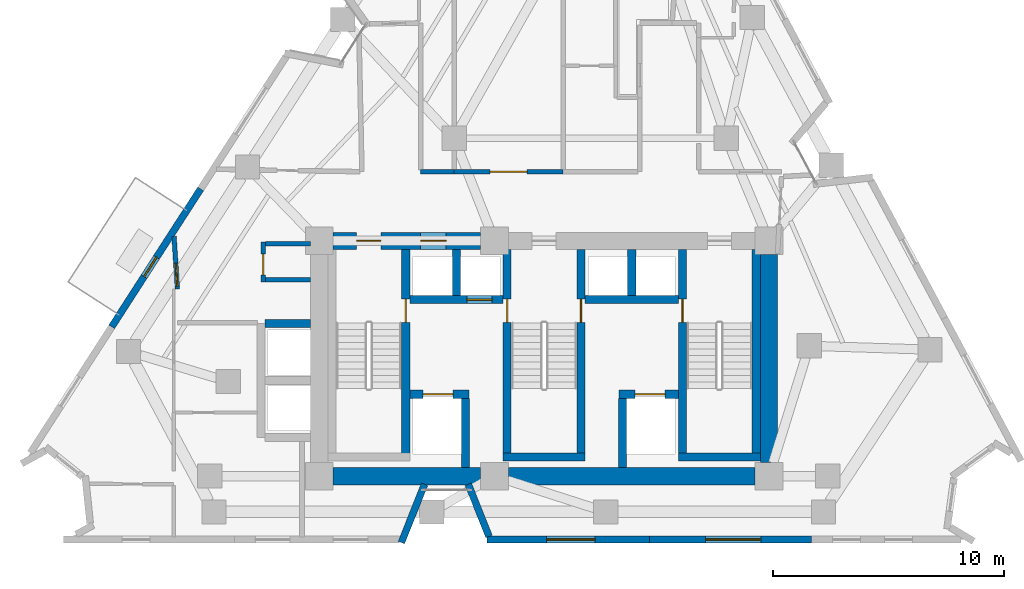
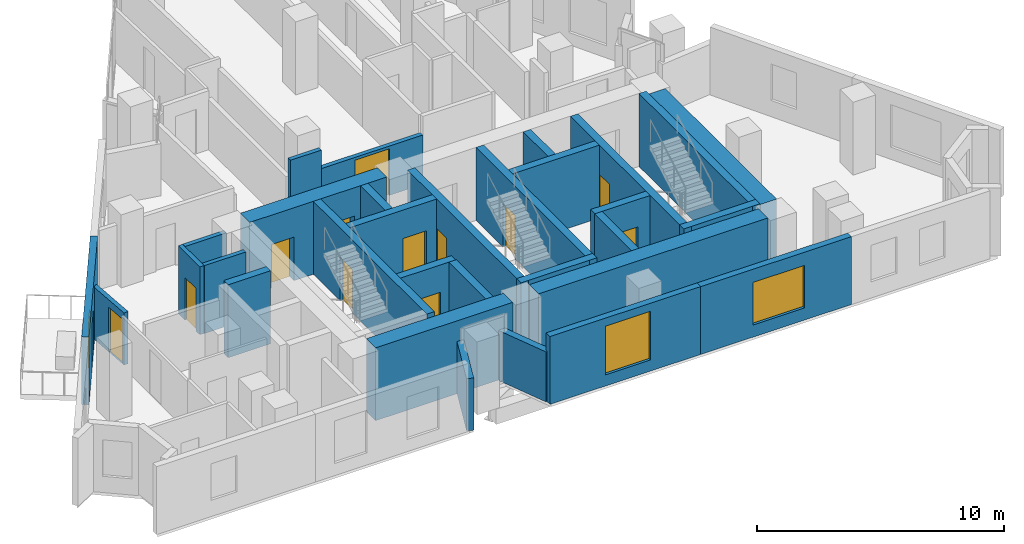
# One storey, part 6 of 11: 31 walls, 13 doors, 2 windows, 15 openings.
"""IFC4 building model written with IfcOpenShell, lengths in metres."""

from ifc_helpers import new_model, si_unit, direction, frame, frame_2d, origin, place, context, subcontext, project, spatial, rectangle, extrude, material, layer, layer_set, type_object, element, fill, save


model = new_model("IFC4")

# Units and contexts
model_context = context("Model", 3, precision=1e-05, world=origin(), true_north=direction((0.0, 1.0)))
body_context = subcontext(model_context, "Body", "Model", "MODEL_VIEW")
ifc_project = project(units=[si_unit("LENGTHUNIT", "METRE"), si_unit("AREAUNIT", "SQUARE_METRE"), si_unit("VOLUMEUNIT", "CUBIC_METRE"), si_unit("PLANEANGLEUNIT", "RADIAN"), si_unit("MASSUNIT", "GRAM", prefix="KILO")], contexts=[model_context])

# Site, building, storey
site_placement = place(None, origin())
site = spatial("IfcSite", under=ifc_project, at=site_placement, CompositionType="ELEMENT")
building_placement = place(site_placement, origin())
building = spatial("IfcBuilding", under=site, at=building_placement, Name="Almagre Mirador Tower", CompositionType="ELEMENT")
storey_placement = place(building_placement, frame((0.0, 0.0, 178.800048828125)))
storey = spatial("IfcBuildingStorey", under=building, at=storey_placement, Name="L46", CompositionType="ELEMENT", Elevation=178.800048828125)

# Wall, opening, window
ifc_material_1 = material(Name="Precast concrete C50/60", Category="concrete")
ifc_layer_1 = layer(ifc_material_1, 0.300048828125)
ifc_layer_set_1 = layer_set([ifc_layer_1], Name="Precast concrete C50/60")
wall_type_1 = type_object("IfcWallType", Name="WAL-EXT-300", PredefinedType="SOLIDWALL", material=ifc_layer_set_1)
wall_1_placement = place(storey_placement, frame((48.9013671875, 1.800048828125, 0.0), z_axis=(0.0, 0.0, 1.0), x_axis=(-1.0, 0.0, 0.0)))
wall_1 = element("IfcWall", 1, at=wall_1_placement, inside=storey, type_object=wall_type_1, Name="L46 expressed almagre precast frame wall 20", PredefinedType="SOLIDWALL", context=body_context, shape_type="SweptSolid", body=[
    extrude(rectangle(XDim=7.03857421875, YDim=0.300048828125, at=frame_2d((3.519287109375, 0.0))), origin(), (0.0, 0.0, 1.0), 3.349853515625),
])
opening_1_placement = place(wall_1_placement, frame((2.199951171875, 0.0, 0.60009765625)))
opening_1 = element("IfcOpeningElement", 2, at=opening_1_placement, cuts=wall_1, Name="Opening WN-02", PredefinedType="OPENING", context=body_context, shape_type="SweptSolid", body=[
    extrude(rectangle(XDim=2.39990234375, YDim=2.10009765625, at=frame_2d((1.199951171875, 1.050048828125))), frame((0.0, 0.159902, 0.0), z_axis=(0.0, -1.0, 0.0), x_axis=(1.0, 0.0, 0.0)), (0.0, 0.0, 1.0), 0.320049),
])
ifc_material_2 = material(Name="Dark solar-control laminated hurricane glass", Category="glass")
window_type_1 = type_object("IfcWindowType", Name="WIN-2400X2100", PartitioningType="TRIPLE_PANEL_VERTICAL", PredefinedType="WINDOW", material=ifc_material_2)
window_1_placement = place(opening_1_placement, origin())
window_1 = element("IfcWindow", 3, at=window_1_placement, inside=storey, type_object=window_type_1, Name="L46 recessed hurricane window L46-RST-B", OverallHeight=2.10009765625, OverallWidth=2.39990234375, PartitioningType="SINGLE_PANEL", PredefinedType="WINDOW", context=body_context, shape_type="SweptSolid", body=[
    extrude(rectangle(XDim=2.39990234375, YDim=2.10009765625, at=frame_2d((1.199951171875, 1.050048828125))), frame((0.0, 0.030029296875, 0.0), z_axis=(0.0, -1.0, 0.0), x_axis=(1.0, 0.0, 0.0)), (0.0, 0.0, 1.0), 0.06005859375),
])
fill(opening_1, window_1)

wall_2_placement = place(storey_placement, frame((41.86279296875, 1.800048828125, 0.0), z_axis=(0.0, 0.0, 1.0), x_axis=(-1.0, 0.0, 0.0)))
wall_2 = element("IfcWall", 4, at=wall_2_placement, inside=storey, type_object=wall_type_1, Name="L46 expressed almagre precast frame wall 21", PredefinedType="SOLIDWALL", context=body_context, shape_type="SweptSolid", body=[
    extrude(rectangle(XDim=7.038818359375, YDim=0.300048828125, at=frame_2d((3.51953125, 0.0))), origin(), (0.0, 0.0, 1.0), 3.349853515625),
])
opening_2_placement = place(wall_2_placement, frame((2.35009765625, 0.0, 0.550048828125)))
opening_2 = element("IfcOpeningElement", 5, at=opening_2_placement, cuts=wall_2, Name="Opening WN-05", PredefinedType="OPENING", context=body_context, shape_type="SweptSolid", body=[
    extrude(rectangle(XDim=2.10009765625, YDim=2.39990234375, at=frame_2d((1.050048828125, 1.199951171875))), frame((0.0, 0.159902, 0.0), z_axis=(0.0, -1.0, 0.0), x_axis=(1.0, 0.0, 0.0)), (0.0, 0.0, 1.0), 0.320049),
])
ifc_material_3 = material(Name="Dark solar-control laminated hurricane glass", Category="glass")
window_type_2 = type_object("IfcWindowType", Name="WIN-2100X2400", PartitioningType="DOUBLE_PANEL_VERTICAL", PredefinedType="WINDOW", material=ifc_material_3)
window_2_placement = place(opening_2_placement, origin())
window_2 = element("IfcWindow", 6, at=window_2_placement, inside=storey, type_object=window_type_2, Name="L46 recessed hurricane window L46-RST-B", OverallHeight=2.39990234375, OverallWidth=2.10009765625, PartitioningType="SINGLE_PANEL", PredefinedType="WINDOW", context=body_context, shape_type="SweptSolid", body=[
    extrude(rectangle(XDim=2.10009765625, YDim=2.39990234375, at=frame_2d((1.050048828125, 1.199951171875))), frame((0.0, 0.030029296875, 0.0), z_axis=(0.0, -1.0, 0.0), x_axis=(1.0, 0.0, 0.0)), (0.0, 0.0, 1.0), 0.06005859375),
])
fill(opening_2, window_2)

# Walls
wall_3_placement = place(storey_placement, frame((34.912109375, 1.93017578125, 0.0), z_axis=(0.0, 0.0, 1.0), x_axis=(-0.369476217581, 0.929240186734, 0.0)))
element("IfcWall", 7, at=wall_3_placement, inside=storey, type_object=wall_type_1, Name="L46 expressed almagre precast frame wall 22", PredefinedType="SOLIDWALL", context=body_context, shape_type="SweptSolid", body=[
    extrude(rectangle(XDim=2.441650390625, YDim=0.300048828125, at=frame_2d((1.220703125, 0.0))), origin(), (0.0, 0.0, 1.0), 2.468994140625),
])
wall_4_placement = place(storey_placement, frame((32.117919921875, 4.198974609375, 0.0), z_axis=(0.0, 0.0, 1.0), x_axis=(-0.369487569888, -0.929235672851, 0.0)))
element("IfcWall", 8, at=wall_4_placement, inside=storey, type_object=wall_type_1, Name="L46 expressed almagre precast frame wall 23", PredefinedType="SOLIDWALL", context=body_context, shape_type="SweptSolid", body=[
    extrude(rectangle(XDim=2.7216796875, YDim=0.300048828125, at=frame_2d((1.36083984375, 0.0))), origin(), (0.0, 0.0, 1.0), 2.574951171875),
])

# Wall, opening, door
wall_5_placement = place(storey_placement, frame((18.549072265625, 11.023193359375, 0.0), z_axis=(0.0, 0.0, 1.0), x_axis=(0.542031523986, 0.840358154006, 0.0)))
wall_5 = element("IfcWall", 9, at=wall_5_placement, inside=storey, type_object=wall_type_1, Name="L46 expressed almagre precast frame wall 31", PredefinedType="SOLIDWALL", context=body_context, shape_type="SweptSolid", body=[
    extrude(rectangle(XDim=7.11572265625, YDim=0.300048828125, at=frame_2d((3.557861328125, 0.0))), origin(), (0.0, 0.0, 1.0), 3.349853515625),
])
opening_3_placement = place(wall_5_placement, frame((2.58984375, 0.0, 0.0)))
opening_3 = element("IfcOpeningElement", 10, at=opening_3_placement, cuts=wall_5, Name="Opening BD-01", PredefinedType="OPENING", context=body_context, shape_type="SweptSolid", body=[
    extrude(rectangle(XDim=1.0, YDim=2.199951171875, at=frame_2d((0.5, 1.10009765625))), frame((0.0, 0.159902, 0.0), z_axis=(0.0, -1.0, 0.0), x_axis=(1.0, 0.0, 0.0)), (0.0, 0.0, 1.0), 0.320049),
])
ifc_material_4 = material(Name="Black anodized aluminium and laminated glass", Category="aluminium")
door_type_1 = type_object("IfcDoorType", Name="DOR-BAL-1000X2200", OperationType="NOTDEFINED", PredefinedType="DOOR", material=ifc_material_4)
door_1_placement = place(opening_3_placement, origin())
door_1 = element("IfcDoor", 11, at=door_1_placement, inside=storey, type_object=door_type_1, Name="DR-1457 L46 west balcony glazed door 1", OperationType="SINGLE_SWING_LEFT", OverallHeight=2.199951171875, OverallWidth=1.0, PredefinedType="DOOR", context=body_context, shape_type="SweptSolid", body=[
    extrude(rectangle(XDim=1.0, YDim=2.199951171875, at=frame_2d((0.5, 1.10009765625))), frame((0.0, 0.02490234375, 0.0), z_axis=(0.0, -1.0, 0.0), x_axis=(1.0, 0.0, 0.0)), (0.0, 0.0, 1.0), 0.050048828125),
])
fill(opening_3, door_1)

ifc_material_5 = material(Name="Gypsum acoustic stud partition", Category="other")
ifc_layer_2 = layer(ifc_material_5, 0.199951171875)
ifc_layer_set_2 = layer_set([ifc_layer_2], Name="Gypsum acoustic stud partition")
wall_type_2 = type_object("IfcWallType", Name="WAL-PRT-200-EI60", PredefinedType="PARTITIONING", material=ifc_layer_set_2)
wall_6_placement = place(storey_placement, frame((25.1201171875, 12.969970703125, 0.0), z_axis=(0.0, 0.0, 1.0), x_axis=(0.0, 1.0, 0.0)))
wall_6 = element("IfcWall", 12, at=wall_6_placement, inside=storey, type_object=wall_type_2, Name="L46 core ancillary west wall", PredefinedType="PARTITIONING", context=body_context, shape_type="SweptSolid", body=[
    extrude(rectangle(XDim=1.739990234375, YDim=0.199951171875, at=frame_2d((0.8701171875, 0.0))), origin(), (0.0, 0.0, 1.0), 3.349853515625),
])
opening_4_placement = place(wall_6_placement, frame((0.304931640625, 0.0, 0.0)))
opening_4 = element("IfcOpeningElement", 13, at=opening_4_placement, cuts=wall_6, Name="Opening ID-03", PredefinedType="OPENING", context=body_context, shape_type="SweptSolid", body=[
    extrude(rectangle(XDim=0.89990234375, YDim=2.10009765625, at=frame_2d((0.449951171875, 1.050048828125))), frame((0.0, 0.110098, 0.0), z_axis=(0.0, -1.0, 0.0), x_axis=(1.0, 0.0, 0.0)), (0.0, 0.0, 1.0), 0.219951),
])
ifc_material_6 = material(Name="Fire-rated hollow steel", Category="steel")
door_type_2 = type_object("IfcDoorType", Name="DOR-FD60-900X2100", OperationType="NOTDEFINED", PredefinedType="DOOR", material=ifc_material_6)
door_2_placement = place(opening_4_placement, origin())
door_2 = element("IfcDoor", 14, at=door_2_placement, inside=storey, type_object=door_type_2, Name="DR-1458 L46 core ancillary corridor door", OperationType="SINGLE_SWING_RIGHT", OverallHeight=2.10009765625, OverallWidth=0.89990234375, PredefinedType="DOOR", context=body_context, shape_type="SweptSolid", body=[
    extrude(rectangle(XDim=0.89990234375, YDim=2.10009765625, at=frame_2d((0.449951171875, 1.050048828125))), frame((0.0, 0.02490234375, 0.0), z_axis=(0.0, -1.0, 0.0), x_axis=(1.0, 0.0, 0.0)), (0.0, 0.0, 1.0), 0.050048828125),
])
fill(opening_4, door_2)

# Walls
for number, where, z_axis, x_axis, name in (
    (15, (25.22509765625, 14.6201171875, 0.0), (0.0, 0.0, 1.0), (1.0, 0.0, 0.0), "L46 core ancillary north wall"),
    (16, (25.22509765625, 13.06005859375, 0.0), (0.0, 0.0, 1.0), (1.0, 0.0, 0.0), "L46 core ancillary south wall"),
):
    element("IfcWall", number, at=place(storey_placement, frame(where, z_axis=z_axis, x_axis=x_axis)), inside=storey, type_object=wall_type_2, Name=name, PredefinedType="PARTITIONING", context=body_context, shape_type="SweptSolid", body=[
        extrude(rectangle(XDim=1.934814453125, YDim=0.199951171875, at=frame_2d((0.96728515625, 0.0))), origin(), (0.0, 0.0, 1.0), 3.349853515625),
    ])

# Wall, opening, door
wall_7_placement = place(storey_placement, frame((21.2529296875, 14.947998046875, 0.0), z_axis=(0.0, 0.0, 1.0), x_axis=(0.06410178257, -0.997943365864, 0.0)))
wall_7 = element("IfcWall", 17, at=wall_7_placement, inside=storey, type_object=wall_type_2, Name="L46 interior partition 001", PredefinedType="PARTITIONING", context=body_context, shape_type="SweptSolid", body=[
    extrude(rectangle(XDim=2.292724609375, YDim=0.199951171875, at=frame_2d((1.146484375, 0.0))), origin(), (0.0, 0.0, 1.0), 2.570068359375),
])
opening_5_placement = place(wall_7_placement, frame((1.171630859375, 0.0, 0.0)))
opening_5 = element("IfcOpeningElement", 18, at=opening_5_placement, cuts=wall_7, Name="Opening ID-01", PredefinedType="OPENING", context=body_context, shape_type="SweptSolid", body=[
    extrude(rectangle(XDim=1.0, YDim=2.199951171875, at=frame_2d((0.5, 1.10009765625))), frame((0.0, 0.110098, 0.0), z_axis=(0.0, -1.0, 0.0), x_axis=(1.0, 0.0, 0.0)), (0.0, 0.0, 1.0), 0.219951),
])
ifc_material_7 = material(Name="Fire-rated walnut timber", Category="wood")
door_type_3 = type_object("IfcDoorType", Name="DOR-FD60-1000X2200", OperationType="NOTDEFINED", PredefinedType="DOOR", material=ifc_material_7)
door_3_placement = place(opening_5_placement, origin())
door_3 = element("IfcDoor", 19, at=door_3_placement, inside=storey, type_object=door_type_3, Name="DR-1466 L46 interior door L46-RCOR to L46-UA-LV", OperationType="SINGLE_SWING_RIGHT", OverallHeight=2.199951171875, OverallWidth=1.0, PredefinedType="DOOR", context=body_context, shape_type="SweptSolid", body=[
    extrude(rectangle(XDim=1.0, YDim=2.199951171875, at=frame_2d((0.5, 1.10009765625))), frame((0.0, 0.02490234375, 0.0), z_axis=(0.0, -1.0, 0.0), x_axis=(1.0, 0.0, 0.0)), (0.0, 0.0, 1.0), 0.050048828125),
])
fill(opening_5, door_3)

# Wall
wall_8_placement = place(storey_placement, frame((33.39990234375, 17.75, 0.0), z_axis=(0.0, 0.0, 1.0), x_axis=(-1.0, 0.0, 0.0)))
element("IfcWall", 20, at=wall_8_placement, inside=storey, type_object=wall_type_2, Name="L46 interior partition 008", PredefinedType="PARTITIONING", context=body_context, shape_type="SweptSolid", body=[
    extrude(rectangle(XDim=1.449951171875, YDim=0.199951171875, at=frame_2d((0.72509765625, 0.0))), origin(), (0.0, 0.0, 1.0), 3.349853515625),
])

# Wall, opening, door
wall_9_placement = place(storey_placement, frame((38.1298828125, 17.75, 0.0), z_axis=(0.0, 0.0, 1.0), x_axis=(-1.0, 0.0, 0.0)))
wall_9 = element("IfcWall", 21, at=wall_9_placement, inside=storey, type_object=wall_type_2, Name="L46 interior partition 010", PredefinedType="PARTITIONING", context=body_context, shape_type="SweptSolid", body=[
    extrude(rectangle(XDim=4.72998046875, YDim=0.199951171875, at=frame_2d((2.364990234375, 0.0))), origin(), (0.0, 0.0, 1.0), 2.43603515625),
])
opening_6_placement = place(wall_9_placement, frame((1.56494140625, 0.0, 0.0)))
opening_6 = element("IfcOpeningElement", 22, at=opening_6_placement, cuts=wall_9, Name="Opening ID-05", PredefinedType="OPENING", context=body_context, shape_type="SweptSolid", body=[
    extrude(rectangle(XDim=1.60009765625, YDim=2.300048828125, at=frame_2d((0.800048828125, 1.14990234375))), frame((0.0, 0.110098, 0.0), z_axis=(0.0, -1.0, 0.0), x_axis=(1.0, 0.0, 0.0)), (0.0, 0.0, 1.0), 0.219951),
])
ifc_material_8 = material(Name="Fire-rated acoustic timber", Category="wood")
door_type_4 = type_object("IfcDoorType", Name="DOR-FD60-1600X2300", OperationType="DOUBLE_DOOR_SINGLE_SWING", PredefinedType="DOOR", material=ifc_material_8)
door_4_placement = place(opening_6_placement, origin())
door_4 = element("IfcDoor", 23, at=door_4_placement, inside=storey, type_object=door_type_4, Name="DR-1465 L46 interior door L46-RCOR to L46-RST-F", OperationType="DOUBLE_DOOR_SINGLE_SWING", OverallHeight=2.300048828125, OverallWidth=1.60009765625, PredefinedType="DOOR", context=body_context, shape_type="SweptSolid", body=[
    extrude(rectangle(XDim=1.60009765625, YDim=2.300048828125, at=frame_2d((0.800048828125, 1.14990234375))), frame((0.0, 0.02490234375, 0.0), z_axis=(0.0, -1.0, 0.0), x_axis=(1.0, 0.0, 0.0)), (0.0, 0.0, 1.0), 0.050048828125),
])
fill(opening_6, door_4)

ifc_material_9 = material(Name="Concrete C60/75", Category="concrete")
ifc_layer_3 = layer(ifc_material_9, 0.35009765625)
ifc_layer_set_3 = layer_set([ifc_layer_3], Name="Concrete C60/75")
wall_type_3 = type_object("IfcWallType", Name="WAL-SHF-350", PredefinedType="SOLIDWALL", material=ifc_layer_set_3)
wall_10_placement = place(storey_placement, frame((31.300048828125, 5.199951171875, 0.0), z_axis=(0.0, 0.0, 1.0), x_axis=(0.0, 1.0, 0.0)))
wall_10 = element("IfcWall", 24, at=wall_10_placement, inside=storey, type_object=wall_type_3, Name="L46 shaft wall ST1-E", PredefinedType="SOLIDWALL", context=body_context, shape_type="SweptSolid", body=[
    extrude(rectangle(XDim=9.175048828125, YDim=0.35009765625, at=frame_2d((4.58740234375, 0.0))), origin(), (0.0, 0.0, 1.0), 3.599853515625),
])
opening_7_placement = place(wall_10_placement, frame((6.02001953125, 0.0, 0.0)))
opening_7 = element("IfcOpeningElement", 25, at=opening_7_placement, cuts=wall_10, Name="Opening FD-01", PredefinedType="OPENING", context=body_context, shape_type="SweptSolid", body=[
    extrude(rectangle(XDim=1.0, YDim=2.14990234375, at=frame_2d((0.5, 1.074951171875))), frame((0.0, 0.185049, 0.0), z_axis=(0.0, -1.0, 0.0), x_axis=(1.0, 0.0, 0.0)), (0.0, 0.0, 1.0), 0.370098),
])
ifc_material_10 = material(Name="Fire-rated hollow steel", Category="steel")
door_type_5 = type_object("IfcDoorType", Name="DOR-FFL-1000X2150", OperationType="NOTDEFINED", PredefinedType="DOOR", material=ifc_material_10)
door_5_placement = place(opening_7_placement, origin())
door_5 = element("IfcDoor", 26, at=door_5_placement, inside=storey, type_object=door_type_5, Name="DR-1459 L46 FFL1-ST1 smokeproof door", OperationType="SINGLE_SWING_RIGHT", OverallHeight=2.14990234375, OverallWidth=1.0, PredefinedType="DOOR", context=body_context, shape_type="SweptSolid", body=[
    extrude(rectangle(XDim=1.0, YDim=2.14990234375, at=frame_2d((0.5, 1.074951171875))), frame((0.0, 0.02490234375, 0.0), z_axis=(0.0, -1.0, 0.0), x_axis=(1.0, 0.0, 0.0)), (0.0, 0.0, 1.0), 0.050048828125),
])
fill(opening_7, door_5)

wall_11_placement = place(storey_placement, frame((35.699951171875, 5.199951171875, 0.0), z_axis=(0.0, 0.0, 1.0), x_axis=(0.0, 1.0, 0.0)))
wall_11 = element("IfcWall", 27, at=wall_11_placement, inside=storey, type_object=wall_type_3, Name="L46 shaft wall ST2-W", PredefinedType="SOLIDWALL", context=body_context, shape_type="SweptSolid", body=[
    extrude(rectangle(XDim=9.175048828125, YDim=0.35009765625, at=frame_2d((4.58740234375, 0.0))), origin(), (0.0, 0.0, 1.0), 3.599853515625),
])
opening_8_placement = place(wall_11_placement, frame((6.02001953125, 0.0, 0.0)))
opening_8 = element("IfcOpeningElement", 28, at=opening_8_placement, cuts=wall_11, Name="Opening FD-01", PredefinedType="OPENING", context=body_context, shape_type="SweptSolid", body=[
    extrude(rectangle(XDim=1.0, YDim=2.14990234375, at=frame_2d((0.5, 1.074951171875))), frame((0.0, 0.185049, 0.0), z_axis=(0.0, -1.0, 0.0), x_axis=(1.0, 0.0, 0.0)), (0.0, 0.0, 1.0), 0.370098),
])
door_6_placement = place(opening_8_placement, origin())
door_6 = element("IfcDoor", 29, at=door_6_placement, inside=storey, type_object=door_type_5, Name="DR-1460 L46 FFL1-ST2 smokeproof door", OperationType="SINGLE_SWING_LEFT", OverallHeight=2.14990234375, OverallWidth=1.0, PredefinedType="DOOR", context=body_context, shape_type="SweptSolid", body=[
    extrude(rectangle(XDim=1.0, YDim=2.14990234375, at=frame_2d((0.5, 1.074951171875))), frame((0.0, 0.02490234375, 0.0), z_axis=(0.0, -1.0, 0.0), x_axis=(1.0, 0.0, 0.0)), (0.0, 0.0, 1.0), 0.050048828125),
])
fill(opening_8, door_6)

wall_12_placement = place(storey_placement, frame((38.89990234375, 5.199951171875, 0.0), z_axis=(0.0, 0.0, 1.0), x_axis=(0.0, 1.0, 0.0)))
wall_12 = element("IfcWall", 30, at=wall_12_placement, inside=storey, type_object=wall_type_3, Name="L46 shaft wall ST2-E", PredefinedType="SOLIDWALL", context=body_context, shape_type="SweptSolid", body=[
    extrude(rectangle(XDim=9.175048828125, YDim=0.35009765625, at=frame_2d((4.58740234375, 0.0))), origin(), (0.0, 0.0, 1.0), 3.599853515625),
])
opening_9_placement = place(wall_12_placement, frame((6.02001953125, 0.0, 0.0)))
opening_9 = element("IfcOpeningElement", 31, at=opening_9_placement, cuts=wall_12, Name="Opening FD-01", PredefinedType="OPENING", context=body_context, shape_type="SweptSolid", body=[
    extrude(rectangle(XDim=1.0, YDim=2.14990234375, at=frame_2d((0.5, 1.074951171875))), frame((0.0, 0.185049, 0.0), z_axis=(0.0, -1.0, 0.0), x_axis=(1.0, 0.0, 0.0)), (0.0, 0.0, 1.0), 0.370098),
])
door_7_placement = place(opening_9_placement, origin())
door_7 = element("IfcDoor", 32, at=door_7_placement, inside=storey, type_object=door_type_5, Name="DR-1461 L46 FFL2-ST2 smokeproof door", OperationType="SINGLE_SWING_RIGHT", OverallHeight=2.14990234375, OverallWidth=1.0, PredefinedType="DOOR", context=body_context, shape_type="SweptSolid", body=[
    extrude(rectangle(XDim=1.0, YDim=2.14990234375, at=frame_2d((0.5, 1.074951171875))), frame((0.0, 0.02490234375, 0.0), z_axis=(0.0, -1.0, 0.0), x_axis=(1.0, 0.0, 0.0)), (0.0, 0.0, 1.0), 0.050048828125),
])
fill(opening_9, door_7)

# Wall
wall_13_placement = place(storey_placement, frame((35.52490234375, 5.375, 0.0), z_axis=(0.0, 0.0, 1.0), x_axis=(1.0, 0.0, 0.0)))
element("IfcWall", 33, at=wall_13_placement, inside=storey, type_object=wall_type_3, Name="L46 shaft wall ST2-S", PredefinedType="SOLIDWALL", context=body_context, shape_type="SweptSolid", body=[
    extrude(rectangle(XDim=3.550048828125, YDim=0.35009765625, at=frame_2d((1.77490234375, 0.0))), origin(), (0.0, 0.0, 1.0), 3.599853515625),
])

# Wall, opening, door
wall_14_placement = place(storey_placement, frame((43.300048828125, 5.199951171875, 0.0), z_axis=(0.0, 0.0, 1.0), x_axis=(0.0, 1.0, 0.0)))
wall_14 = element("IfcWall", 34, at=wall_14_placement, inside=storey, type_object=wall_type_3, Name="L46 shaft wall ST3-W", PredefinedType="SOLIDWALL", context=body_context, shape_type="SweptSolid", body=[
    extrude(rectangle(XDim=9.175048828125, YDim=0.35009765625, at=frame_2d((4.58740234375, 0.0))), origin(), (0.0, 0.0, 1.0), 3.599853515625),
])
opening_10_placement = place(wall_14_placement, frame((6.02001953125, 0.0, 0.0)))
opening_10 = element("IfcOpeningElement", 35, at=opening_10_placement, cuts=wall_14, Name="Opening FD-01", PredefinedType="OPENING", context=body_context, shape_type="SweptSolid", body=[
    extrude(rectangle(XDim=1.0, YDim=2.14990234375, at=frame_2d((0.5, 1.074951171875))), frame((0.0, 0.185049, 0.0), z_axis=(0.0, -1.0, 0.0), x_axis=(1.0, 0.0, 0.0)), (0.0, 0.0, 1.0), 0.370098),
])
door_8_placement = place(opening_10_placement, origin())
door_8 = element("IfcDoor", 36, at=door_8_placement, inside=storey, type_object=door_type_5, Name="DR-1462 L46 FFL2-ST3 smokeproof door", OperationType="SINGLE_SWING_LEFT", OverallHeight=2.14990234375, OverallWidth=1.0, PredefinedType="DOOR", context=body_context, shape_type="SweptSolid", body=[
    extrude(rectangle(XDim=1.0, YDim=2.14990234375, at=frame_2d((0.5, 1.074951171875))), frame((0.0, 0.02490234375, 0.0), z_axis=(0.0, -1.0, 0.0), x_axis=(1.0, 0.0, 0.0)), (0.0, 0.0, 1.0), 0.050048828125),
])
fill(opening_10, door_8)

# Walls
wall_15_placement = place(storey_placement, frame((46.5, 5.199951171875, 0.0), z_axis=(0.0, 0.0, 1.0), x_axis=(0.0, 1.0, 0.0)))
element("IfcWall", 37, at=wall_15_placement, inside=storey, type_object=wall_type_3, Name="L46 shaft wall ST3-E", PredefinedType="SOLIDWALL", context=body_context, shape_type="SweptSolid", body=[
    extrude(rectangle(XDim=9.175048828125, YDim=0.35009765625, at=frame_2d((4.58740234375, 0.0))), origin(), (0.0, 0.0, 1.0), 3.599853515625),
])
wall_16_placement = place(storey_placement, frame((43.125, 5.375, 0.0), z_axis=(0.0, 0.0, 1.0), x_axis=(1.0, 0.0, 0.0)))
element("IfcWall", 38, at=wall_16_placement, inside=storey, type_object=wall_type_3, Name="L46 shaft wall ST3-S", PredefinedType="SOLIDWALL", context=body_context, shape_type="SweptSolid", body=[
    extrude(rectangle(XDim=3.550048828125, YDim=0.35009765625, at=frame_2d((1.77490234375, 0.0))), origin(), (0.0, 0.0, 1.0), 3.599853515625),
])

# Wall, opening, door
wall_17_placement = place(storey_placement, frame((31.47509765625, 8.10009765625, 0.0), z_axis=(0.0, 0.0, 1.0), x_axis=(1.0, 0.0, 0.0)))
wall_17 = element("IfcWall", 39, at=wall_17_placement, inside=storey, type_object=wall_type_3, Name="L46 shaft wall FSAE1-N", PredefinedType="SOLIDWALL", context=body_context, shape_type="SweptSolid", body=[
    extrude(rectangle(XDim=2.574951171875, YDim=0.35009765625, at=frame_2d((1.28759765625, 0.0))), origin(), (0.0, 0.0, 1.0), 3.599853515625),
])
opening_11_placement = place(wall_17_placement, frame((0.574951171875, 0.0, 0.0)))
opening_11 = element("IfcOpeningElement", 40, at=opening_11_placement, cuts=wall_17, Name="Opening LD-03", PredefinedType="OPENING", context=body_context, shape_type="SweptSolid", body=[
    extrude(rectangle(XDim=1.300048828125, YDim=2.25, at=frame_2d((0.64990234375, 1.125))), frame((0.0, 0.185049, 0.0), z_axis=(0.0, -1.0, 0.0), x_axis=(1.0, 0.0, 0.0)), (0.0, 0.0, 1.0), 0.370098),
])
ifc_material_11 = material(Name="Hollow stainless steel", Category="steel")
door_type_6 = type_object("IfcDoorType", Name="DOR-LD-1300X2250", OperationType="DOUBLE_DOOR_SLIDING", PredefinedType="DOOR", material=ifc_material_11)
door_9_placement = place(opening_11_placement, origin())
door_9 = element("IfcDoor", 41, at=door_9_placement, inside=storey, type_object=door_type_6, Name="DR-1477 L46 FSAE-1 lift landing door", OperationType="DOUBLE_DOOR_SLIDING", OverallHeight=2.25, OverallWidth=1.300048828125, PredefinedType="DOOR", context=body_context, shape_type="SweptSolid", body=[
    extrude(rectangle(XDim=1.300048828125, YDim=2.25, at=frame_2d((0.64990234375, 1.125))), frame((0.0, 0.02490234375, 0.0), z_axis=(0.0, -1.0, 0.0), x_axis=(1.0, 0.0, 0.0)), (0.0, 0.0, 1.0), 0.050048828125),
])
fill(opening_11, door_9)

wall_18_placement = place(storey_placement, frame((40.550048828125, 8.10009765625, 0.0), z_axis=(0.0, 0.0, 1.0), x_axis=(1.0, 0.0, 0.0)))
wall_18 = element("IfcWall", 42, at=wall_18_placement, inside=storey, type_object=wall_type_3, Name="L46 shaft wall FSAE2-N", PredefinedType="SOLIDWALL", context=body_context, shape_type="SweptSolid", body=[
    extrude(rectangle(XDim=2.574951171875, YDim=0.35009765625, at=frame_2d((1.28759765625, 0.0))), origin(), (0.0, 0.0, 1.0), 3.599853515625),
])
opening_12_placement = place(wall_18_placement, frame((0.699951171875, 0.0, 0.0)))
opening_12 = element("IfcOpeningElement", 43, at=opening_12_placement, cuts=wall_18, Name="Opening LD-03", PredefinedType="OPENING", context=body_context, shape_type="SweptSolid", body=[
    extrude(rectangle(XDim=1.300048828125, YDim=2.25, at=frame_2d((0.64990234375, 1.125))), frame((0.0, 0.185049, 0.0), z_axis=(0.0, -1.0, 0.0), x_axis=(1.0, 0.0, 0.0)), (0.0, 0.0, 1.0), 0.370098),
])
door_10_placement = place(opening_12_placement, origin())
door_10 = element("IfcDoor", 44, at=door_10_placement, inside=storey, type_object=door_type_6, Name="DR-1478 L46 FSAE-2 lift landing door", OperationType="DOUBLE_DOOR_SLIDING", OverallHeight=2.25, OverallWidth=1.300048828125, PredefinedType="DOOR", context=body_context, shape_type="SweptSolid", body=[
    extrude(rectangle(XDim=1.300048828125, YDim=2.25, at=frame_2d((0.64990234375, 1.125))), frame((0.0, 0.02490234375, 0.0), z_axis=(0.0, -1.0, 0.0), x_axis=(1.0, 0.0, 0.0)), (0.0, 0.0, 1.0), 0.050048828125),
])
fill(opening_12, door_10)

# Walls
for number, where, z_axis, x_axis, name in (
    (45, (33.89990234375, 4.925048828125, 0.0), (0.0, 0.0, 1.0), (0.0, 1.0, 0.0), "L46 shaft wall FSAE1-E"),
    (46, (40.699951171875, 4.925048828125, 0.0), (0.0, 0.0, 1.0), (0.0, 1.0, 0.0), "L46 shaft wall FSAE2-W"),
):
    element("IfcWall", number, at=place(storey_placement, frame(where, z_axis=z_axis, x_axis=x_axis)), inside=storey, type_object=wall_type_3, Name=name, PredefinedType="SOLIDWALL", context=body_context, shape_type="SweptSolid", body=[
        extrude(rectangle(XDim=3.0, YDim=0.35009765625, at=frame_2d((1.5, 0.0))), origin(), (0.0, 0.0, 1.0), 3.599853515625),
    ])

# Wall, opening, door
wall_19_placement = place(storey_placement, frame((31.47509765625, 12.199951171875, 0.0), z_axis=(0.0, 0.0, 1.0), x_axis=(1.0, 0.0, 0.0)))
wall_19 = element("IfcWall", 47, at=wall_19_placement, inside=storey, type_object=wall_type_3, Name="L46 shaft wall PLM-S", PredefinedType="SOLIDWALL", context=body_context, shape_type="SweptSolid", body=[
    extrude(rectangle(XDim=4.0498046875, YDim=0.35009765625, at=frame_2d((2.02490234375, 0.0))), origin(), (0.0, 0.0, 1.0), 3.599853515625),
])
opening_13_placement = place(wall_19_placement, frame((2.47509765625, 0.0, 0.0)))
opening_13 = element("IfcOpeningElement", 48, at=opening_13_placement, cuts=wall_19, Name="Opening LD-01", PredefinedType="OPENING", context=body_context, shape_type="SweptSolid", body=[
    extrude(rectangle(XDim=1.10009765625, YDim=2.199951171875, at=frame_2d((0.550048828125, 1.10009765625))), frame((0.0, 0.185049, 0.0), z_axis=(0.0, -1.0, 0.0), x_axis=(1.0, 0.0, 0.0)), (0.0, 0.0, 1.0), 0.370098),
])
ifc_material_12 = material(Name="Hollow stainless steel", Category="steel")
door_type_7 = type_object("IfcDoorType", Name="DOR-LD-1100X2200", OperationType="DOUBLE_DOOR_SLIDING", PredefinedType="DOOR", material=ifc_material_12)
door_11_placement = place(opening_13_placement, origin())
door_11 = element("IfcDoor", 49, at=door_11_placement, inside=storey, type_object=door_type_7, Name="DR-1480 L46 PL-M2 lift landing door", OperationType="DOUBLE_DOOR_SLIDING", OverallHeight=2.199951171875, OverallWidth=1.10009765625, PredefinedType="DOOR", context=body_context, shape_type="SweptSolid", body=[
    extrude(rectangle(XDim=1.10009765625, YDim=2.199951171875, at=frame_2d((0.550048828125, 1.10009765625))), frame((0.0, 0.02490234375, 0.0), z_axis=(0.0, -1.0, 0.0), x_axis=(1.0, 0.0, 0.0)), (0.0, 0.0, 1.0), 0.050048828125),
])
fill(opening_13, door_11)

# Walls
wall_20_placement = place(storey_placement, frame((33.5, 12.375, 0.0), z_axis=(0.0, 0.0, 1.0), x_axis=(0.0, 1.0, 0.0)))
element("IfcWall", 50, at=wall_20_placement, inside=storey, type_object=wall_type_3, Name="L46 shaft wall PLM-M", PredefinedType="SOLIDWALL", context=body_context, shape_type="SweptSolid", body=[
    extrude(rectangle(XDim=2.0, YDim=0.35009765625, at=frame_2d((1.0, 0.0))), origin(), (0.0, 0.0, 1.0), 3.599853515625),
])
wall_21_placement = place(storey_placement, frame((39.074951171875, 12.199951171875, 0.0), z_axis=(0.0, 0.0, 1.0), x_axis=(1.0, 0.0, 0.0)))
element("IfcWall", 51, at=wall_21_placement, inside=storey, type_object=wall_type_3, Name="L46 shaft wall PLH-S", PredefinedType="SOLIDWALL", context=body_context, shape_type="SweptSolid", body=[
    extrude(rectangle(XDim=4.050048828125, YDim=0.35009765625, at=frame_2d((2.02490234375, 0.0))), origin(), (0.0, 0.0, 1.0), 3.599853515625),
])
wall_22_placement = place(storey_placement, frame((41.10009765625, 12.375, 0.0), z_axis=(0.0, 0.0, 1.0), x_axis=(0.0, 1.0, 0.0)))
element("IfcWall", 52, at=wall_22_placement, inside=storey, type_object=wall_type_3, Name="L46 shaft wall PLH-M", PredefinedType="SOLIDWALL", context=body_context, shape_type="SweptSolid", body=[
    extrude(rectangle(XDim=2.0, YDim=0.35009765625, at=frame_2d((1.0, 0.0))), origin(), (0.0, 0.0, 1.0), 3.599853515625),
])
wall_23_placement = place(storey_placement, frame((25.199951171875, 11.175048828125, 0.0), z_axis=(0.0, 0.0, 1.0), x_axis=(1.0, 0.0, 0.0)))
element("IfcWall", 53, at=wall_23_placement, inside=storey, type_object=wall_type_3, Name="L46 shaft wall OL-N", PredefinedType="SOLIDWALL", context=body_context, shape_type="SweptSolid", body=[
    extrude(rectangle(XDim=1.97509765625, YDim=0.35009765625, at=frame_2d((0.987548828125, 0.0))), origin(), (0.0, 0.0, 1.0), 3.599853515625),
])
ifc_material_13 = material(Name="Concrete C60/75", Category="concrete")
ifc_layer_4 = layer(ifc_material_13, 0.75)
ifc_layer_set_4 = layer_set([ifc_layer_4], Name="Concrete C60/75")
wall_type_4 = type_object("IfcWallType", Name="WAL-SHR-750", PredefinedType="SHEAR", material=ifc_layer_set_4)
wall_24_placement = place(storey_placement, frame((28.14990234375, 4.550048828125, 0.0), z_axis=(0.0, 0.0, 1.0), x_axis=(1.0, 0.0, 0.0)))
element("IfcWall", 54, at=wall_24_placement, inside=storey, type_object=wall_type_4, Name="L46 core shear wall S1", PredefinedType="SHEAR", context=body_context, shape_type="SweptSolid", body=[
    extrude(rectangle(XDim=6.400146484375, YDim=0.75, at=frame_2d((3.2001953125, 0.0))), origin(), (0.0, 0.0, 1.0), 3.599853515625),
])
wall_25_placement = place(storey_placement, frame((35.75, 4.550048828125, 0.0), z_axis=(0.0, 0.0, 1.0), x_axis=(1.0, 0.0, 0.0)))
element("IfcWall", 55, at=wall_25_placement, inside=storey, type_object=wall_type_4, Name="L46 core shear wall S2", PredefinedType="SHEAR", context=body_context, shape_type="SweptSolid", body=[
    extrude(rectangle(XDim=10.699951171875, YDim=0.75, at=frame_2d((5.35009765625, 0.0))), origin(), (0.0, 0.0, 1.0), 3.599853515625),
])

# Wall, openings, doors
wall_26_placement = place(storey_placement, frame((28.14990234375, 14.75, 0.0), z_axis=(0.0, 0.0, 1.0), x_axis=(1.0, 0.0, 0.0)))
wall_26 = element("IfcWall", 56, at=wall_26_placement, inside=storey, type_object=wall_type_4, Name="L46 core shear wall N1", PredefinedType="SHEAR", context=body_context, shape_type="SweptSolid", body=[
    extrude(rectangle(XDim=6.400146484375, YDim=0.75, at=frame_2d((3.2001953125, 0.0))), origin(), (0.0, 0.0, 1.0), 3.599853515625),
])
opening_14_placement = place(wall_26_placement, frame((1.02490234375, 0.0, 0.0)))
opening_14 = element("IfcOpeningElement", 57, at=opening_14_placement, cuts=wall_26, Name="Opening SD-01", PredefinedType="OPENING", context=body_context, shape_type="SweptSolid", body=[
    extrude(rectangle(XDim=1.050048828125, YDim=2.14990234375, at=frame_2d((0.52490234375, 1.074951171875))), frame((0.0, 0.385, 0.0), z_axis=(0.0, -1.0, 0.0), x_axis=(1.0, 0.0, 0.0)), (0.0, 0.0, 1.0), 0.77),
])
opening_15_placement = place(wall_26_placement, frame((3.800048828125, 0.0, 0.0)))
opening_15 = element("IfcOpeningElement", 58, at=opening_15_placement, cuts=wall_26, Name="Opening LD-01", PredefinedType="OPENING", context=body_context, shape_type="SweptSolid", body=[
    extrude(rectangle(XDim=1.10009765625, YDim=2.199951171875, at=frame_2d((0.550048828125, 1.10009765625))), frame((0.0, 0.385, 0.0), z_axis=(0.0, -1.0, 0.0), x_axis=(1.0, 0.0, 0.0)), (0.0, 0.0, 1.0), 0.77),
])
door_12_placement = place(opening_15_placement, origin())
door_12 = element("IfcDoor", 59, at=door_12_placement, inside=storey, type_object=door_type_7, Name="DR-1479 L46 PL-M1 lift landing door", OperationType="DOUBLE_DOOR_SLIDING", OverallHeight=2.199951171875, OverallWidth=1.10009765625, PredefinedType="DOOR", context=body_context, shape_type="SweptSolid", body=[
    extrude(rectangle(XDim=1.10009765625, YDim=2.199951171875, at=frame_2d((0.550048828125, 1.10009765625))), frame((0.0, 0.02490234375, 0.0), z_axis=(0.0, -1.0, 0.0), x_axis=(1.0, 0.0, 0.0)), (0.0, 0.0, 1.0), 0.050048828125),
])
fill(opening_15, door_12)
ifc_material_14 = material(Name="Fire-rated hollow steel", Category="steel")
door_type_8 = type_object("IfcDoorType", Name="DOR-ST-1050X2150", OperationType="NOTDEFINED", PredefinedType="DOOR", material=ifc_material_14)
door_13_placement = place(opening_14_placement, origin())
door_13 = element("IfcDoor", 60, at=door_13_placement, inside=storey, type_object=door_type_8, Name="DR-1481 L46 protected exit stair ST-1 door", OperationType="SINGLE_SWING_RIGHT", OverallHeight=2.14990234375, OverallWidth=1.050048828125, PredefinedType="DOOR", context=body_context, shape_type="SweptSolid", body=[
    extrude(rectangle(XDim=1.050048828125, YDim=2.14990234375, at=frame_2d((0.52490234375, 1.074951171875))), frame((0.0, 0.02490234375, 0.0), z_axis=(0.0, -1.0, 0.0), x_axis=(1.0, 0.0, 0.0)), (0.0, 0.0, 1.0), 0.050048828125),
])
fill(opening_14, door_13)

# Wall
wall_27_placement = place(storey_placement, frame((47.050048828125, 5.14990234375, 0.0), z_axis=(0.0, 0.0, 1.0), x_axis=(0.0, 1.0, 0.0)))
element("IfcWall", 61, at=wall_27_placement, inside=storey, type_object=wall_type_4, Name="L46 core shear wall E1", PredefinedType="SHEAR", context=body_context, shape_type="SweptSolid", body=[
    extrude(rectangle(XDim=9.0, YDim=0.75, at=frame_2d((4.5, 0.0))), origin(), (0.0, 0.0, 1.0), 3.599853515625),
])

save(model, "model.ifc")
